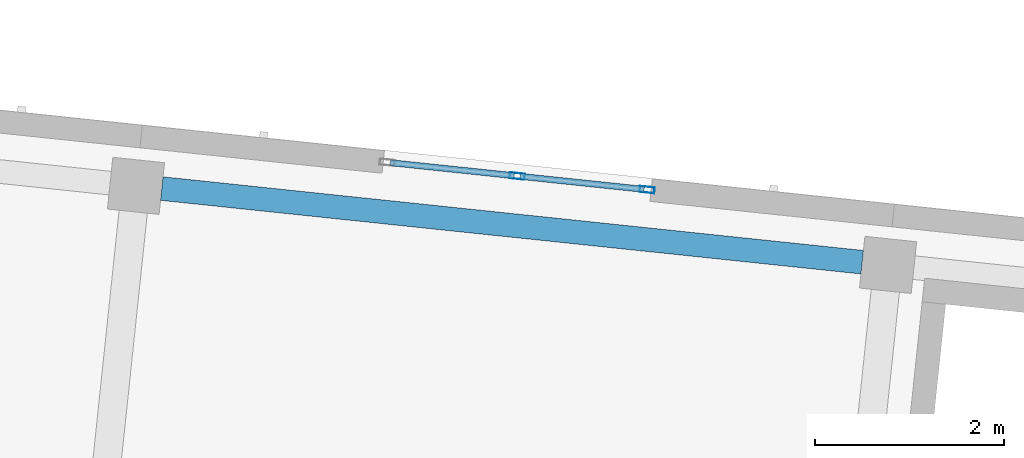
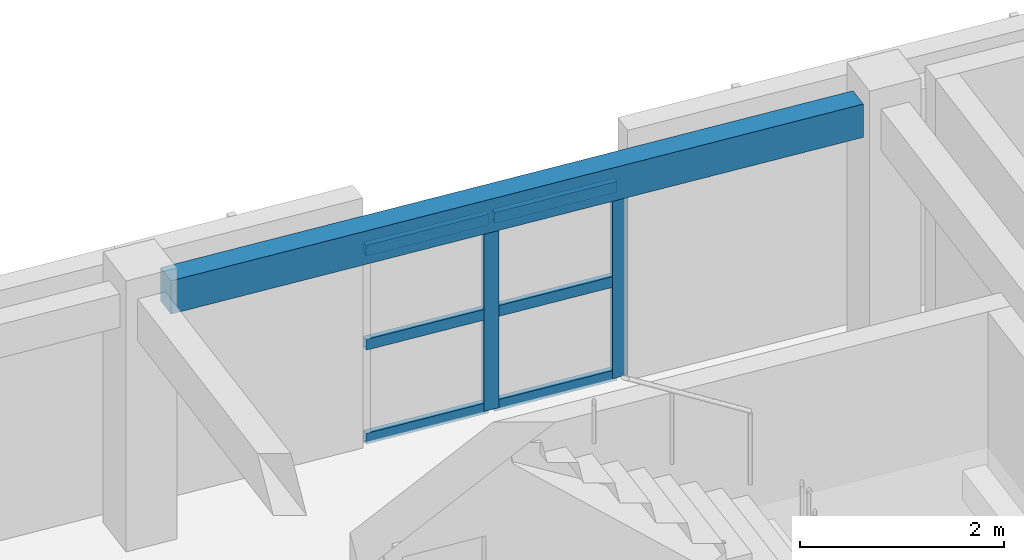
# One storey, part 14 of 74: 8 members, 1 beam, 1 element without a shape of its own.
"""IFC4 building model written with IfcOpenShell, lengths in metres."""

import ifcopenshell
import ifcopenshell.guid

model = None  # the IFC model being written
_history = None  # IfcOwnerHistory: only IFC2X3 demands one
_inside = {}  # id of a spatial element -> (the spatial element, [elements in it])
_under = {}  # id of a project, library or spatial element -> (it, [spatial elements below it])
_declared = {}  # id of a project -> (the project, [libraries it declares])
_typed = {}  # id of a type object -> (the type object, [elements of that type])
_made_of = {}  # id of a material, layer set ... -> (it, [elements and type objects made of it])


def new_model(schema):
    """Start an empty IFC model of exactly this schema.

    Asked for "IFC4X3", IfcOpenShell would pick the latest addendum, in which some entities
    have other attributes; the version numbers below select the first issue.
    IFC2X3 requires an IfcOwnerHistory on every rooted entity: one is made here for all.
    """
    global model, _history
    if schema == "IFC4X3":
        model = ifcopenshell.file(schema_version=(4, 3, 0, 0))
    else:
        model = ifcopenshell.file(schema=schema)
    _inside.clear()
    _under.clear()
    _declared.clear()
    _typed.clear()
    _made_of.clear()
    _history = None
    if model.schema == "IFC2X3":
        org = make("IfcOrganization", Name="unknown")
        user = make(
            "IfcPersonAndOrganization",
            ThePerson=make("IfcPerson", FamilyName="unknown"),
            TheOrganization=org,
        )
        app = make(
            "IfcApplication",
            ApplicationDeveloper=org,
            Version="unknown",
            ApplicationFullName="unknown",
            ApplicationIdentifier="unknown",
        )
        _history = make(
            "IfcOwnerHistory",
            OwningUser=user,
            OwningApplication=app,
            ChangeAction="ADDED",
            CreationDate=0,
        )
    return model


def make(cls, **values):
    """One entity of the class cls with the attributes given. An attribute that is None is left unset."""
    return model.create_entity(
        cls, **{name: value for name, value in values.items() if value is not None}
    )


def rooted(cls, **values):
    """An entity with a GlobalId (a new one), such as an element, a storey or a relation."""
    return make(cls, GlobalId=ifcopenshell.guid.new(), OwnerHistory=_history, **values)


def si_unit(unit_type, name, prefix=None):
    """IfcSIUnit, for example si_unit("LENGTHUNIT", "METRE", prefix="MILLI")."""
    return make("IfcSIUnit", UnitType=unit_type, Prefix=prefix, Name=name)


def assignment(units):
    """IfcUnitAssignment: the units of a project."""
    return None if units is None else make("IfcUnitAssignment", Units=units)


def point(xyz):
    """IfcCartesianPoint."""
    return None if xyz is None else make("IfcCartesianPoint", Coordinates=xyz)


def direction(xyz):
    """IfcDirection."""
    return None if xyz is None else make("IfcDirection", DirectionRatios=xyz)


def frame(location, z_axis=None, x_axis=None):
    """IfcAxis2Placement3D, a coordinate frame: its origin and axes. An axis left out is left unset."""
    return make(
        "IfcAxis2Placement3D",
        Location=point(location),
        Axis=direction(z_axis),
        RefDirection=direction(x_axis),
    )


def frame_2d(location, x_axis=None):
    """IfcAxis2Placement2D, a coordinate frame in the plane: its origin and x axis."""
    return make(
        "IfcAxis2Placement2D", Location=point(location), RefDirection=direction(x_axis)
    )


def origin():
    """The frame at (0, 0, 0) with its axes left unset."""
    return frame((0.0, 0.0, 0.0))


def origin_2d():
    """The frame at (0, 0) in the plane with its x axis left unset."""
    return frame_2d((0.0, 0.0))


def place(relative_to, where):
    """IfcLocalPlacement: puts the frame where relative to a parent placement (None: the world)."""
    return make(
        "IfcLocalPlacement", PlacementRelTo=relative_to, RelativePlacement=where
    )


def context(
    kind, dimensions, precision=None, world=None, true_north=None, identifier=None
):
    """IfcGeometricRepresentationContext, for example the 3D "Model" context."""
    return make(
        "IfcGeometricRepresentationContext",
        ContextIdentifier=identifier,
        ContextType=kind,
        CoordinateSpaceDimension=dimensions,
        Precision=precision,
        WorldCoordinateSystem=world,
        TrueNorth=true_north,
    )


def subcontext(parent, identifier, kind, view, scale=None):
    """IfcGeometricRepresentationSubContext, for example "Body" below "Model"."""
    return make(
        "IfcGeometricRepresentationSubContext",
        ContextIdentifier=identifier,
        ContextType=kind,
        ParentContext=parent,
        TargetScale=scale,
        TargetView=view,
    )


def project(units=None, contexts=None):
    """IfcProject with its units and contexts."""
    return rooted(
        "IfcProject",
        Name="project",
        RepresentationContexts=contexts,
        UnitsInContext=assignment(units),
    )


def spatial(cls, under=None, at=None, **own):
    """A site, building, storey or space (cls), placed at a placement, below another one or the project."""
    s = rooted(cls, ObjectPlacement=at, **own)
    if under is not None:
        _under.setdefault(under.id(), (under, []))[1].append(s)
    return s


def profile(cls, at=None, kind="AREA", **sizes):
    """A parametric profile (cls). Its sizes go by their IFC names, for example OverallWidth=200.0."""
    return make(cls, ProfileType=kind, Position=at, **sizes)


def rectangle(**sizes):
    """IfcRectangleProfileDef."""
    return profile("IfcRectangleProfileDef", **sizes)


def hollow_rectangle(**sizes):
    """IfcRectangleHollowProfileDef."""
    return profile("IfcRectangleHollowProfileDef", **sizes)


def extrude(swept, where, along, depth):
    """IfcExtrudedAreaSolid: the profile swept, set in the frame where, extruded along a direction by depth."""
    return make(
        "IfcExtrudedAreaSolid",
        SweptArea=swept,
        Position=where,
        ExtrudedDirection=direction(along),
        Depth=depth,
    )


def shape(context_of_items, identifier, shape_type, items):
    """IfcShapeRepresentation: the items that make up one representation, for example the "Body"."""
    return make(
        "IfcShapeRepresentation",
        ContextOfItems=context_of_items,
        RepresentationIdentifier=identifier,
        RepresentationType=shape_type,
        Items=items,
    )


def material(Name=None, Category=None):
    """IfcMaterial."""
    return make("IfcMaterial", Name=Name, Category=Category)


def material_profile(
    of_material, cross_section, Name=None, Category=None, Priority=None
):
    """IfcMaterialProfile: a cross section and its material."""
    return make(
        "IfcMaterialProfile",
        Name=Name,
        Material=of_material,
        Profile=cross_section,
        Priority=Priority,
        Category=Category,
    )


def profile_set(profiles, Name=None, composite=None):
    """IfcMaterialProfileSet."""
    return make(
        "IfcMaterialProfileSet",
        Name=Name,
        MaterialProfiles=profiles,
        CompositeProfile=composite,
    )


def made_of(thing, what):
    """Note that an element or type object is made of a material, layer set ...; save() writes the relation."""
    if what is not None:
        _made_of.setdefault(what.id(), (what, []))[1].append(thing)
    return thing


def type_object(cls, material=None, **own):
    """A type object (cls), such as IfcWallType, which elements share."""
    return made_of(rooted(cls, **own), material)


def element(
    cls,
    number,
    at=None,
    inside=None,
    cuts=None,
    type_object=None,
    material=None,
    context=None,
    identifier="Body",
    shape_type=None,
    held_by="IfcProductDefinitionShape",
    body=None,
    shapes=None,
    **own,
):
    """One element of the class cls, such as IfcWall. Its Tag is "e" and its number.

    at: its placement. inside: the storey or other place that contains it. cuts: it is an
    opening in that element (IfcRelVoidsElement). A single representation is given by context,
    identifier, shape_type and body (its items); several are given by shapes. held_by: the class
    of the entity that holds the representations. save() writes the other relations.
    """
    e = rooted(cls, Tag="e%d" % number, ObjectPlacement=at, **own)
    if body is not None:
        shapes = [shape(context, identifier, shape_type, body)]
    if shapes is not None:
        e.Representation = make(held_by, Representations=shapes)
    if inside is not None:
        _inside.setdefault(inside.id(), (inside, []))[1].append(e)
    if cuts is not None:
        rooted(
            "IfcRelVoidsElement", RelatingBuildingElement=cuts, RelatedOpeningElement=e
        )
    if type_object is not None:
        _typed.setdefault(type_object.id(), (type_object, []))[1].append(e)
    return made_of(e, material)


def aggregate(whole, parts):
    """IfcRelAggregates: a whole, such as a stair, and the parts it consists of."""
    return rooted("IfcRelAggregates", RelatingObject=whole, RelatedObjects=parts)


def save(model, path):
    """Write the relations noted so far, then the file.

    IfcRelAggregates (storeys below a building ...), IfcRelContainedInSpatialStructure (elements
    in a storey), IfcRelDefinesByType, IfcRelAssociatesMaterial and IfcRelDeclares: one each for
    every whole, place, type object, material and project.
    """
    for whole, parts in _under.values():
        aggregate(whole, parts)
    for where, things in _inside.values():
        rooted(
            "IfcRelContainedInSpatialStructure",
            RelatedElements=things,
            RelatingStructure=where,
        )
    for kind, things in _typed.values():
        rooted("IfcRelDefinesByType", RelatedObjects=things, RelatingType=kind)
    for what, things in _made_of.values():
        rooted("IfcRelAssociatesMaterial", RelatedObjects=things, RelatingMaterial=what)
    for by, libraries in _declared.values():
        rooted("IfcRelDeclares", RelatingContext=by, RelatedDefinitions=libraries)
    model.write(path)


model = new_model("IFC4")

# Units and contexts
model_context = context("Model", 3, precision=1e-05, world=origin(), true_north=direction((0.0, 1.0)))
body_context = subcontext(model_context, "Body", "Model", "MODEL_VIEW")
ifc_project = project(units=[si_unit("LENGTHUNIT", "METRE"), si_unit("AREAUNIT", "SQUARE_METRE"), si_unit("VOLUMEUNIT", "CUBIC_METRE"), si_unit("PLANEANGLEUNIT", "RADIAN"), si_unit("MASSUNIT", "GRAM", prefix="KILO")], contexts=[model_context])

# Site, building, storey
site_placement = place(None, origin())
site = spatial("IfcSite", under=ifc_project, at=site_placement, CompositionType="ELEMENT")
building_placement = place(site_placement, origin())
building = spatial("IfcBuilding", under=site, at=building_placement, Name="Kestramere Prow Commons", CompositionType="ELEMENT")
storey_placement = place(building_placement, frame((0.0, 0.0, 11.64990234375)))
storey = spatial("IfcBuildingStorey", under=building, at=storey_placement, Name="L03", CompositionType="ELEMENT", Elevation=11.64990234375)

# Curtain wall, members
ifc_material_1 = material(Name="Anodised Aluminium and Low-E Glass", Category="aluminium")
curtain_wall_type = type_object("IfcCurtainWallType", Name="CW-03 Glazed Curtain Wall 2830x2320", PredefinedType="USERDEFINED", material=ifc_material_1)
curtain_wall_placement = place(storey_placement, origin())
curtain_wall = element("IfcCurtainWall", 1, at=curtain_wall_placement, inside=storey, type_object=curtain_wall_type, Name="Block B L03 Stairwell Vertical Glazing 5", ObjectType="GLAZED CURTAIN WALL", PredefinedType="USERDEFINED")
ifc_material_2 = material(Name="Anodised Aluminium 6063-T6", Category="aluminium")
ifc_material_profile_1 = material_profile(ifc_material_2, hollow_rectangle(XDim=0.06494140625, YDim=0.159912109375, WallThickness=0.00390625, at=origin_2d()), Name="ALU-MUL 65x160")
ifc_profile_set_1 = profile_set([ifc_material_profile_1], Name="Anodised Aluminium 6063-T6")
member_type_1 = type_object("IfcMemberType", Name="CW-MUL-65x160", PredefinedType="MULLION", material=ifc_profile_set_1)
member_1_placement = place(storey_placement, frame((147.906494140625, 111.0517578125, 0.0), z_axis=(0.0, 0.0, 1.0), x_axis=(0.104528269348, 0.99452191575, 0.0)))
member_1 = element("IfcMember", 2, at=member_1_placement, type_object=member_type_1, Name="CW-03 mullion 2", PredefinedType="MULLION", context=body_context, shape_type="SweptSolid", body=[
    extrude(hollow_rectangle(XDim=0.06494140625, YDim=0.159912109375, WallThickness=0.00390625, at=origin_2d()), origin(), (0.0, 0.0, 1.0), 2.320068359375),
])
member_2_placement = place(storey_placement, frame((149.28125, 110.9072265625, 0.0), z_axis=(0.0, 0.0, 1.0), x_axis=(0.104528269348, 0.99452191575, 0.0)))
member_2 = element("IfcMember", 3, at=member_2_placement, type_object=member_type_1, Name="CW-03 mullion 3", PredefinedType="MULLION", context=body_context, shape_type="SweptSolid", body=[
    extrude(hollow_rectangle(XDim=0.06494140625, YDim=0.159912109375, WallThickness=0.00390625, at=origin_2d()), origin(), (0.0, 0.0, 1.0), 2.320068359375),
])
ifc_material_profile_2 = material_profile(ifc_material_2, hollow_rectangle(XDim=0.06494140625, YDim=0.1298828125, WallThickness=0.00390625, at=origin_2d()), Name="ALU-TRN 65x130")
ifc_profile_set_2 = profile_set([ifc_material_profile_2], Name="Anodised Aluminium 6063-T6")
member_type_2 = type_object("IfcMemberType", Name="CW-TRN-65x130", PredefinedType="USERDEFINED", material=ifc_profile_set_2)
member_3_placement = place(storey_placement, frame((146.563720703125, 111.19287109375, 0.03271484375), z_axis=(0.994523714271, -0.104511156111, 0.0), x_axis=(0.104511156111, 0.994523714271, 0.0)))
member_3 = element("IfcMember", 4, at=member_3_placement, type_object=member_type_2, Name="CW-03 transom 1.1", ObjectType="TRANSOM", PredefinedType="USERDEFINED", context=body_context, shape_type="SweptSolid", body=[
    extrude(hollow_rectangle(XDim=0.06494140625, YDim=0.1298828125, WallThickness=0.00390625, at=origin_2d()), origin(), (0.0, 0.0, 1.0), 1.317626953125),
])
member_4_placement = place(storey_placement, frame((146.563720703125, 111.19287109375, 1.16015625), z_axis=(0.994523714271, -0.104511156111, 0.0), x_axis=(0.104511156111, 0.994523714271, 0.0)))
member_4 = element("IfcMember", 5, at=member_4_placement, type_object=member_type_2, Name="CW-03 transom 1.2", ObjectType="TRANSOM", PredefinedType="USERDEFINED", context=body_context, shape_type="SweptSolid", body=[
    extrude(hollow_rectangle(XDim=0.06494140625, YDim=0.1298828125, WallThickness=0.00390625, at=origin_2d()), origin(), (0.0, 0.0, 1.0), 1.317626953125),
])
member_5_placement = place(storey_placement, frame((146.563720703125, 111.19287109375, 2.28759765625), z_axis=(0.994523714271, -0.104511156111, 0.0), x_axis=(0.104511156111, 0.994523714271, 0.0)))
member_5 = element("IfcMember", 6, at=member_5_placement, type_object=member_type_2, Name="CW-03 transom 1.3", ObjectType="TRANSOM", PredefinedType="USERDEFINED", context=body_context, shape_type="SweptSolid", body=[
    extrude(hollow_rectangle(XDim=0.06494140625, YDim=0.1298828125, WallThickness=0.00390625, at=origin_2d()), origin(), (0.0, 0.0, 1.0), 1.317626953125),
])
member_6_placement = place(storey_placement, frame((147.938720703125, 111.04833984375, 0.03271484375), z_axis=(0.994523714271, -0.104511156111, 0.0), x_axis=(0.104511156111, 0.994523714271, 0.0)))
member_6 = element("IfcMember", 7, at=member_6_placement, type_object=member_type_2, Name="CW-03 transom 2.1", ObjectType="TRANSOM", PredefinedType="USERDEFINED", context=body_context, shape_type="SweptSolid", body=[
    extrude(hollow_rectangle(XDim=0.06494140625, YDim=0.1298828125, WallThickness=0.00390625, at=origin_2d()), origin(), (0.0, 0.0, 1.0), 1.317626953125),
])
member_7_placement = place(storey_placement, frame((147.938720703125, 111.04833984375, 1.16015625), z_axis=(0.994523714271, -0.104511156111, 0.0), x_axis=(0.104511156111, 0.994523714271, 0.0)))
member_7 = element("IfcMember", 8, at=member_7_placement, type_object=member_type_2, Name="CW-03 transom 2.2", ObjectType="TRANSOM", PredefinedType="USERDEFINED", context=body_context, shape_type="SweptSolid", body=[
    extrude(hollow_rectangle(XDim=0.06494140625, YDim=0.1298828125, WallThickness=0.00390625, at=origin_2d()), origin(), (0.0, 0.0, 1.0), 1.317626953125),
])
member_8_placement = place(storey_placement, frame((147.938720703125, 111.04833984375, 2.28759765625), z_axis=(0.994523714271, -0.104511156111, 0.0), x_axis=(0.104511156111, 0.994523714271, 0.0)))
member_8 = element("IfcMember", 9, at=member_8_placement, type_object=member_type_2, Name="CW-03 transom 2.3", ObjectType="TRANSOM", PredefinedType="USERDEFINED", context=body_context, shape_type="SweptSolid", body=[
    extrude(hollow_rectangle(XDim=0.06494140625, YDim=0.1298828125, WallThickness=0.00390625, at=origin_2d()), origin(), (0.0, 0.0, 1.0), 1.317626953125),
])
aggregate(curtain_wall, [member_1, member_2, member_3, member_4, member_5, member_6, member_7, member_8])

# Beam
ifc_material_3 = material(Name="Precast concrete C40/50", Category="concrete")
ifc_material_profile_3 = material_profile(ifc_material_3, rectangle(XDim=0.25, YDim=0.39990234375, at=origin_2d()), Name="PC-SP 250x400")
ifc_profile_set_3 = profile_set([ifc_material_profile_3], Name="Precast concrete C40/50")
beam_type = type_object("IfcBeamType", Name="SP-EXT-01 PC-SP 250x400", PredefinedType="SPANDREL", material=ifc_profile_set_3)
beam_placement = place(storey_placement, frame((144.14697265625, 110.9189453125, 2.800048828125), z_axis=(0.994520884665, -0.104538079019, 0.0), x_axis=(0.104538079019, 0.994520884665, 0.0)))
element("IfcBeam", 10, at=beam_placement, inside=storey, type_object=beam_type, Name="Block B L03 Longitudinal Beam 4-5", PredefinedType="SPANDREL", context=body_context, shape_type="SweptSolid", body=[
    extrude(rectangle(XDim=0.25, YDim=0.39990234375, at=origin_2d()), origin(), (0.0, 0.0, 1.0), 7.449951171875),
])

save(model, "model.ifc")
